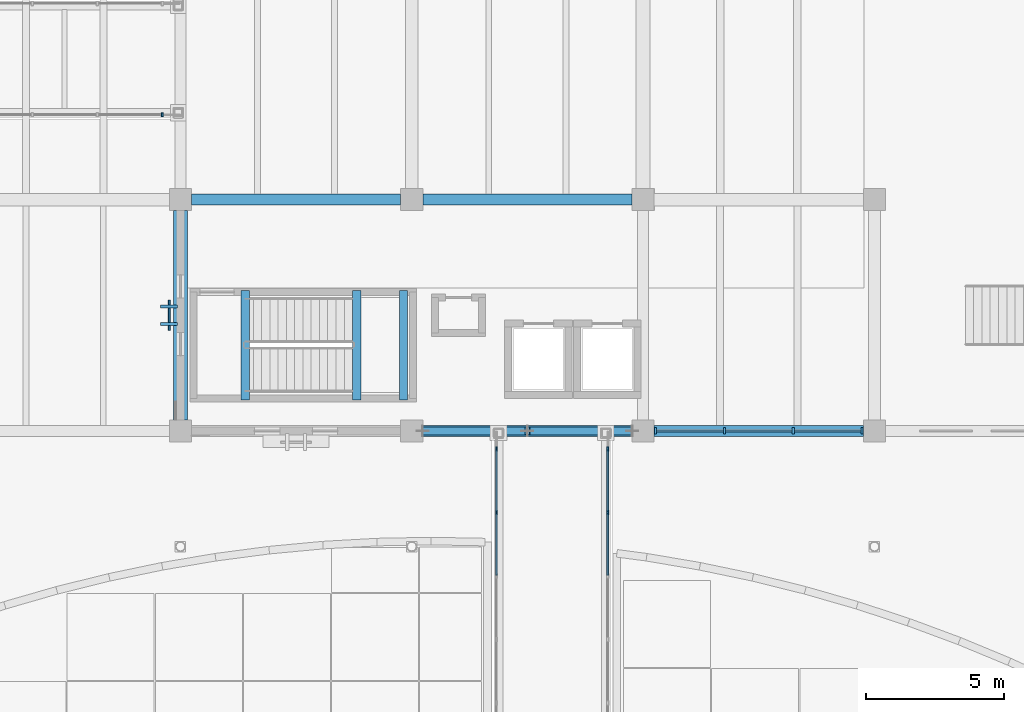
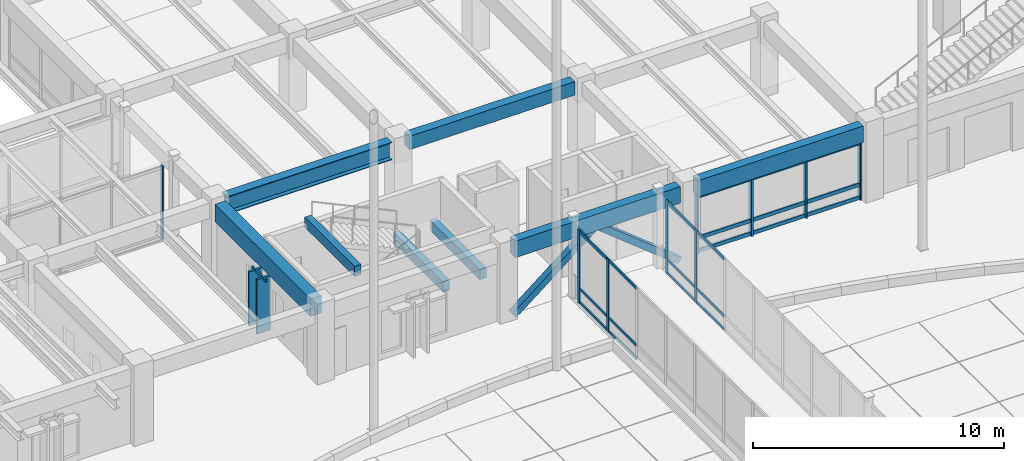
# One storey, part 45 of 135: 35 members, 8 beams, 5 elements without a shape of their own.
"""IFC4 building model written with IfcOpenShell, lengths in metres."""

from ifc_helpers import new_model, si_unit, direction, frame, origin, origin_2d, place, context, subcontext, project, spatial, rectangle, hollow_rectangle, i_section, extrude, material, material_profile, profile_set, type_object, element, aggregate, save


model = new_model("IFC4")

# Units and contexts
model_context = context("Model", 3, precision=1e-05, world=origin(), true_north=direction((0.0, 1.0)))
body_context = subcontext(model_context, "Body", "Model", "MODEL_VIEW")
ifc_project = project(units=[si_unit("LENGTHUNIT", "METRE"), si_unit("AREAUNIT", "SQUARE_METRE"), si_unit("VOLUMEUNIT", "CUBIC_METRE"), si_unit("PLANEANGLEUNIT", "RADIAN"), si_unit("MASSUNIT", "GRAM", prefix="KILO")], contexts=[model_context])

# Site, building, storey
site_placement = place(None, origin())
site = spatial("IfcSite", under=ifc_project, at=site_placement, CompositionType="ELEMENT")
building_placement = place(site_placement, origin())
building = spatial("IfcBuilding", under=site, at=building_placement, Name="Cumbredor Promenade Congress Hotel", CompositionType="ELEMENT")
storey_placement = place(building_placement, origin())
storey = spatial("IfcBuildingStorey", under=building, at=storey_placement, Name="L00", CompositionType="ELEMENT", Elevation=0.0)

# Beams
ifc_material_1 = material(Name="Concrete C40/50", Category="concrete")
ifc_material_profile_1 = material_profile(ifc_material_1, rectangle(XDim=0.39990234375, YDim=0.64990234375, at=origin_2d()), Name="RC BEAM 400x650")
ifc_profile_set_1 = profile_set([ifc_material_profile_1], Name="Concrete C40/50")
beam_type_1 = type_object("IfcBeamType", Name="BM-RC-400x650", PredefinedType="BEAM", material=ifc_profile_set_1)
beam_1_placement = place(storey_placement, frame((101.199951171875, 92.39990234375, 3.31494140625), z_axis=(1.0, 0.0, 0.0), x_axis=(0.0, 1.0, 0.0)))
element("IfcBeam", 1, at=beam_1_placement, inside=storey, type_object=beam_type_1, Name="L01 X-Grid Beam 182", PredefinedType="BEAM", context=body_context, shape_type="SweptSolid", body=[
    extrude(rectangle(XDim=0.39990234375, YDim=0.64990234375, at=origin_2d()), origin(), (0.0, 0.0, 1.0), 7.60009765625),
])
ifc_material_profile_2 = material_profile(ifc_material_1, rectangle(XDim=0.5, YDim=0.85009765625, at=origin_2d()), Name="RC BEAM 500x850")
ifc_profile_set_2 = profile_set([ifc_material_profile_2], Name="Concrete C40/50")
beam_type_2 = type_object("IfcBeamType", Name="BM-RC-500x850", PredefinedType="BEAM", material=ifc_profile_set_2)
beam_2_placement = place(storey_placement, frame((92.39990234375, 84.39990234375, 3.215087890625), z_axis=(0.0, 1.0, 0.0), x_axis=(-1.0, 0.0, 0.0)))
element("IfcBeam", 2, at=beam_2_placement, inside=storey, type_object=beam_type_2, Name="L01 Y-Grid Beam 168", PredefinedType="BEAM", context=body_context, shape_type="SweptSolid", body=[
    extrude(rectangle(XDim=0.5, YDim=0.85009765625, at=origin_2d()), origin(), (0.0, 0.0, 1.0), 7.60009765625),
])
ifc_material_2 = material(Name="Steel ASTM A992 Grade 50", Category="steel")
ifc_material_profile_3 = material_profile(ifc_material_2, i_section(OverallWidth=0.39990234375, OverallDepth=0.85498046875, WebThickness=0.018310546875, FlangeThickness=0.029296875, at=origin_2d()), Name="W33X201")
ifc_profile_set_3 = profile_set([ifc_material_profile_3], Name="Steel ASTM A992 Grade 50")
beam_type_3 = type_object("IfcBeamType", Name="BM-W33X201", PredefinedType="BEAM", material=ifc_profile_set_3)
beam_3_placement = place(storey_placement, frame((92.800048828125, 92.39990234375, 3.21240234375), z_axis=(1.0, 0.0, 0.0), x_axis=(0.0, 1.0, 0.0)))
element("IfcBeam", 3, at=beam_3_placement, inside=storey, type_object=beam_type_3, Name="L01 X-Grid Beam 169", PredefinedType="BEAM", context=body_context, shape_type="SweptSolid", body=[
    extrude(i_section(OverallWidth=0.39990234375, OverallDepth=0.85498046875, WebThickness=0.018310546875, FlangeThickness=0.029296875, at=origin_2d()), origin(), (0.0, 0.0, 1.0), 7.599853515625),
])

# Curtain wall, members
ifc_material_3 = material(Name="Thermally broken anodized aluminium and low-E glass", Category="aluminium")
curtain_wall_type_1 = type_object("IfcCurtainWallType", Name="Unitised Bridge Glazing Screen CW-05", PredefinedType="NOTDEFINED", material=ifc_material_3)
curtain_wall_1_placement = place(storey_placement, origin())
curtain_wall_1 = element("IfcCurtainWall", 4, at=curtain_wall_1_placement, inside=storey, type_object=curtain_wall_type_1, Name="L00 Central Reflecting-Pool Promenade Bridge West Glazing Screen", PredefinedType="NOTDEFINED")
ifc_material_4 = material(Name="Thermally broken anodized aluminium", Category="aluminium")
ifc_material_profile_4 = material_profile(ifc_material_4, rectangle(XDim=0.06494140625, YDim=0.159912109375, at=origin_2d()), Name="ALU MULLION 65x160")
ifc_profile_set_4 = profile_set([ifc_material_profile_4], Name="Thermally broken anodized aluminium")
member_type_1 = type_object("IfcMemberType", Name="Curtain Wall Mullion ML-01", PredefinedType="MULLION", material=ifc_profile_set_4)
member_1_placement = place(storey_placement, frame((103.8798828125, 81.0341796875, -0.008056640625), z_axis=(0.0, 0.0, 1.0), x_axis=(1.0, 0.0, 0.0)))
member_1 = element("IfcMember", 5, at=member_1_placement, type_object=member_type_1, Name="L00 Central Reflecting-Pool Promenade Bridge West Glazing Screen Mullion 14", PredefinedType="MULLION", context=body_context, shape_type="SweptSolid", body=[
    extrude(rectangle(XDim=0.06494140625, YDim=0.159912109375, at=origin_2d()), origin(), (0.0, 0.0, 1.0), 3.55615234375),
])
member_2_placement = place(storey_placement, frame((103.8798828125, 83.340087890625, -0.008056640625), z_axis=(0.0, 0.0, 1.0), x_axis=(1.0, 0.0, 0.0)))
member_2 = element("IfcMember", 6, at=member_2_placement, type_object=member_type_1, Name="L00 Central Reflecting-Pool Promenade Bridge West Glazing Screen Mullion 15", PredefinedType="MULLION", context=body_context, shape_type="SweptSolid", body=[
    extrude(rectangle(XDim=0.06494140625, YDim=0.159912109375, at=origin_2d()), origin(), (0.0, 0.0, 1.0), 3.55615234375),
])

curtain_wall_2_placement = place(storey_placement, origin())
curtain_wall_2 = element("IfcCurtainWall", 7, at=curtain_wall_2_placement, inside=storey, type_object=curtain_wall_type_1, Name="L00 Central Reflecting-Pool Promenade Bridge East Glazing Screen", PredefinedType="NOTDEFINED")
member_3_placement = place(storey_placement, frame((107.919921875, 81.0341796875, -0.008056640625), z_axis=(0.0, 0.0, 1.0), x_axis=(1.0, 0.0, 0.0)))
member_3 = element("IfcMember", 8, at=member_3_placement, type_object=member_type_1, Name="L00 Central Reflecting-Pool Promenade Bridge East Glazing Screen Mullion 14", PredefinedType="MULLION", context=body_context, shape_type="SweptSolid", body=[
    extrude(rectangle(XDim=0.06494140625, YDim=0.159912109375, at=origin_2d()), origin(), (0.0, 0.0, 1.0), 3.55615234375),
])
member_4_placement = place(storey_placement, frame((107.919921875, 83.340087890625, -0.008056640625), z_axis=(0.0, 0.0, 1.0), x_axis=(1.0, 0.0, 0.0)))
member_4 = element("IfcMember", 9, at=member_4_placement, type_object=member_type_1, Name="L00 Central Reflecting-Pool Promenade Bridge East Glazing Screen Mullion 15", PredefinedType="MULLION", context=body_context, shape_type="SweptSolid", body=[
    extrude(rectangle(XDim=0.06494140625, YDim=0.159912109375, at=origin_2d()), origin(), (0.0, 0.0, 1.0), 3.55615234375),
])

# Curtain wall, member
curtain_wall_3_placement = place(storey_placement, origin())
curtain_wall_3 = element("IfcCurtainWall", 10, at=curtain_wall_3_placement, inside=storey, type_object=curtain_wall_type_1, Name="L00 North Hotel-to-Forum Glazed Bridge South Glazing Screen", PredefinedType="NOTDEFINED")
member_5_placement = place(storey_placement, frame((91.739990234375, 95.47998046875, -0.008056640625), z_axis=(0.0, 0.0, 1.0), x_axis=(1.0, 0.0, 0.0)))
member_5 = element("IfcMember", 11, at=member_5_placement, type_object=member_type_1, Name="L00 North Hotel-to-Forum Glazed Bridge South Glazing Screen Mullion 4", PredefinedType="MULLION", context=body_context, shape_type="SweptSolid", body=[
    extrude(rectangle(XDim=0.06494140625, YDim=0.159912109375, at=origin_2d()), origin(), (0.0, 0.0, 1.0), 3.55615234375),
])
aggregate(curtain_wall_3, [member_5])

# Curtain wall, members
curtain_wall_type_2 = type_object("IfcCurtainWallType", Name="Unitised Grand Foyer Curtain Wall CW-04", PredefinedType="NOTDEFINED", material=ifc_material_3)
curtain_wall_4_placement = place(storey_placement, origin())
curtain_wall_4 = element("IfcCurtainWall", 12, at=curtain_wall_4_placement, inside=storey, type_object=curtain_wall_type_2, Name="L00 Pre-Function and Breakout Meeting Forum South Curtain Wall 3", PredefinedType="NOTDEFINED")
ifc_material_profile_5 = material_profile(ifc_material_4, rectangle(XDim=0.080078125, YDim=0.239990234375, at=origin_2d()), Name="ALU MULLION 80x240")
ifc_profile_set_5 = profile_set([ifc_material_profile_5], Name="Thermally broken anodized aluminium")
member_type_2 = type_object("IfcMemberType", Name="Curtain Wall Mullion ML-03", PredefinedType="MULLION", material=ifc_profile_set_5)
member_6_placement = place(storey_placement, frame((109.655029296875, 84.0, -0.008056640625), z_axis=(0.0, 0.0, 1.0), x_axis=(1.0, 0.0, 0.0)))
member_6 = element("IfcMember", 13, at=member_6_placement, type_object=member_type_2, Name="L00 Pre-Function and Breakout Meeting Forum South Curtain Wall 3 Mullion 1", PredefinedType="MULLION", context=body_context, shape_type="SweptSolid", body=[
    extrude(rectangle(XDim=0.080078125, YDim=0.239990234375, at=origin_2d()), origin(), (0.0, 0.0, 1.0), 2.841064453125),
])
member_7_placement = place(storey_placement, frame((112.151611328125, 84.0, -0.008056640625), z_axis=(0.0, 0.0, 1.0), x_axis=(1.0, 0.0, 0.0)))
member_7 = element("IfcMember", 14, at=member_7_placement, type_object=member_type_2, Name="L00 Pre-Function and Breakout Meeting Forum South Curtain Wall 3 Mullion 2", PredefinedType="MULLION", context=body_context, shape_type="SweptSolid", body=[
    extrude(rectangle(XDim=0.080078125, YDim=0.239990234375, at=origin_2d()), origin(), (0.0, 0.0, 1.0), 2.841064453125),
])
member_8_placement = place(storey_placement, frame((114.648193359375, 84.0, -0.008056640625), z_axis=(0.0, 0.0, 1.0), x_axis=(1.0, 0.0, 0.0)))
member_8 = element("IfcMember", 15, at=member_8_placement, type_object=member_type_2, Name="L00 Pre-Function and Breakout Meeting Forum South Curtain Wall 3 Mullion 3", PredefinedType="MULLION", context=body_context, shape_type="SweptSolid", body=[
    extrude(rectangle(XDim=0.080078125, YDim=0.239990234375, at=origin_2d()), origin(), (0.0, 0.0, 1.0), 2.841064453125),
])
member_9_placement = place(storey_placement, frame((117.14501953125, 84.0, -0.008056640625), z_axis=(0.0, 0.0, 1.0), x_axis=(1.0, 0.0, 0.0)))
member_9 = element("IfcMember", 16, at=member_9_placement, type_object=member_type_2, Name="L00 Pre-Function and Breakout Meeting Forum South Curtain Wall 3 Mullion 4", PredefinedType="MULLION", context=body_context, shape_type="SweptSolid", body=[
    extrude(rectangle(XDim=0.080078125, YDim=0.239990234375, at=origin_2d()), origin(), (0.0, 0.0, 1.0), 2.841064453125),
])

# Curtain wall, member
curtain_wall_type_3 = type_object("IfcCurtainWallType", Name="Solar Brise-Soleil Screen Assembly CW-07", PredefinedType="NOTDEFINED", material=ifc_material_3)
curtain_wall_5_placement = place(storey_placement, origin())
curtain_wall_5 = element("IfcCurtainWall", 17, at=curtain_wall_5_placement, inside=storey, type_object=curtain_wall_type_3, Name="L00 Pier Brise-Soleil Screen 0079", PredefinedType="NOTDEFINED")
ifc_material_profile_6 = material_profile(ifc_material_4, rectangle(XDim=0.06494140625, YDim=0.1298828125, at=origin_2d()), Name="ALU TRANSOM 65x130")
ifc_profile_set_6 = profile_set([ifc_material_profile_6], Name="Thermally broken anodized aluminium")
member_type_3 = type_object("IfcMemberType", Name="Curtain Wall Transom TR-01", PredefinedType="USERDEFINED", material=ifc_profile_set_6)
member_10_placement = place(storey_placement, frame((91.989990234375, 87.64990234375, 2.614990234375), z_axis=(0.0, 1.0, 0.0), x_axis=(-1.0, 0.0, 0.0)))
member_10 = element("IfcMember", 18, at=member_10_placement, type_object=member_type_3, Name="L00 Pier Brise-Soleil Header 0081", ObjectType="TRANSOM", PredefinedType="USERDEFINED", context=body_context, shape_type="SweptSolid", body=[
    extrude(rectangle(XDim=0.06494140625, YDim=0.1298828125, at=origin_2d()), origin(), (0.0, 0.0, 1.0), 1.10009765625),
])

# Member
member_11_placement = place(storey_placement, frame((103.8798828125, 78.760986328125, 0.070068359375), z_axis=(0.0, 1.0, 0.0), x_axis=(-1.0, 0.0, 0.0)))
member_11 = element("IfcMember", 19, at=member_11_placement, type_object=member_type_3, Name="L00 Central Reflecting-Pool Promenade Bridge West Glazing Screen Transom 13.1", ObjectType="TRANSOM", PredefinedType="USERDEFINED", context=body_context, shape_type="SweptSolid", body=[
    extrude(rectangle(XDim=0.06494140625, YDim=0.1298828125, at=origin_2d()), origin(), (0.0, 0.0, 1.0), 2.24072265625),
])

member_12_placement = place(storey_placement, frame((103.8798828125, 78.760986328125, 0.719970703125), z_axis=(0.0, 1.0, 0.0), x_axis=(-1.0, 0.0, 0.0)))
member_12 = element("IfcMember", 20, at=member_12_placement, type_object=member_type_3, Name="L00 Central Reflecting-Pool Promenade Bridge West Glazing Screen Transom 13.2", ObjectType="TRANSOM", PredefinedType="USERDEFINED", context=body_context, shape_type="SweptSolid", body=[
    extrude(rectangle(XDim=0.06494140625, YDim=0.1298828125, at=origin_2d()), origin(), (0.0, 0.0, 1.0), 2.24072265625),
])

member_13_placement = place(storey_placement, frame((103.8798828125, 78.760986328125, 3.47998046875), z_axis=(0.0, 1.0, 0.0), x_axis=(-1.0, 0.0, 0.0)))
member_13 = element("IfcMember", 21, at=member_13_placement, type_object=member_type_3, Name="L00 Central Reflecting-Pool Promenade Bridge West Glazing Screen Transom 13.3", ObjectType="TRANSOM", PredefinedType="USERDEFINED", context=body_context, shape_type="SweptSolid", body=[
    extrude(rectangle(XDim=0.06494140625, YDim=0.1298828125, at=origin_2d()), origin(), (0.0, 0.0, 1.0), 2.24072265625),
])

member_14_placement = place(storey_placement, frame((103.8798828125, 81.06689453125, 0.070068359375), z_axis=(0.0, 1.0, 0.0), x_axis=(-1.0, 0.0, 0.0)))
member_14 = element("IfcMember", 22, at=member_14_placement, type_object=member_type_3, Name="L00 Central Reflecting-Pool Promenade Bridge West Glazing Screen Transom 14.1", ObjectType="TRANSOM", PredefinedType="USERDEFINED", context=body_context, shape_type="SweptSolid", body=[
    extrude(rectangle(XDim=0.06494140625, YDim=0.1298828125, at=origin_2d()), origin(), (0.0, 0.0, 1.0), 2.24072265625),
])

member_15_placement = place(storey_placement, frame((103.8798828125, 81.06689453125, 0.719970703125), z_axis=(0.0, 1.0, 0.0), x_axis=(-1.0, 0.0, 0.0)))
member_15 = element("IfcMember", 23, at=member_15_placement, type_object=member_type_3, Name="L00 Central Reflecting-Pool Promenade Bridge West Glazing Screen Transom 14.2", ObjectType="TRANSOM", PredefinedType="USERDEFINED", context=body_context, shape_type="SweptSolid", body=[
    extrude(rectangle(XDim=0.06494140625, YDim=0.1298828125, at=origin_2d()), origin(), (0.0, 0.0, 1.0), 2.24072265625),
])

member_16_placement = place(storey_placement, frame((103.8798828125, 81.06689453125, 3.47998046875), z_axis=(0.0, 1.0, 0.0), x_axis=(-1.0, 0.0, 0.0)))
member_16 = element("IfcMember", 24, at=member_16_placement, type_object=member_type_3, Name="L00 Central Reflecting-Pool Promenade Bridge West Glazing Screen Transom 14.3", ObjectType="TRANSOM", PredefinedType="USERDEFINED", context=body_context, shape_type="SweptSolid", body=[
    extrude(rectangle(XDim=0.06494140625, YDim=0.1298828125, at=origin_2d()), origin(), (0.0, 0.0, 1.0), 2.24072265625),
])

aggregate(curtain_wall_1, [member_1, member_2, member_11, member_12, member_13, member_14, member_15, member_16])

member_17_placement = place(storey_placement, frame((107.919921875, 78.760986328125, 0.070068359375), z_axis=(0.0, 1.0, 0.0), x_axis=(-1.0, 0.0, 0.0)))
member_17 = element("IfcMember", 25, at=member_17_placement, type_object=member_type_3, Name="L00 Central Reflecting-Pool Promenade Bridge East Glazing Screen Transom 13.1", ObjectType="TRANSOM", PredefinedType="USERDEFINED", context=body_context, shape_type="SweptSolid", body=[
    extrude(rectangle(XDim=0.06494140625, YDim=0.1298828125, at=origin_2d()), origin(), (0.0, 0.0, 1.0), 2.24072265625),
])

member_18_placement = place(storey_placement, frame((107.919921875, 78.760986328125, 0.719970703125), z_axis=(0.0, 1.0, 0.0), x_axis=(-1.0, 0.0, 0.0)))
member_18 = element("IfcMember", 26, at=member_18_placement, type_object=member_type_3, Name="L00 Central Reflecting-Pool Promenade Bridge East Glazing Screen Transom 13.2", ObjectType="TRANSOM", PredefinedType="USERDEFINED", context=body_context, shape_type="SweptSolid", body=[
    extrude(rectangle(XDim=0.06494140625, YDim=0.1298828125, at=origin_2d()), origin(), (0.0, 0.0, 1.0), 2.24072265625),
])

member_19_placement = place(storey_placement, frame((107.919921875, 78.760986328125, 3.47998046875), z_axis=(0.0, 1.0, 0.0), x_axis=(-1.0, 0.0, 0.0)))
member_19 = element("IfcMember", 27, at=member_19_placement, type_object=member_type_3, Name="L00 Central Reflecting-Pool Promenade Bridge East Glazing Screen Transom 13.3", ObjectType="TRANSOM", PredefinedType="USERDEFINED", context=body_context, shape_type="SweptSolid", body=[
    extrude(rectangle(XDim=0.06494140625, YDim=0.1298828125, at=origin_2d()), origin(), (0.0, 0.0, 1.0), 2.24072265625),
])

member_20_placement = place(storey_placement, frame((107.919921875, 81.06689453125, 0.070068359375), z_axis=(0.0, 1.0, 0.0), x_axis=(-1.0, 0.0, 0.0)))
member_20 = element("IfcMember", 28, at=member_20_placement, type_object=member_type_3, Name="L00 Central Reflecting-Pool Promenade Bridge East Glazing Screen Transom 14.1", ObjectType="TRANSOM", PredefinedType="USERDEFINED", context=body_context, shape_type="SweptSolid", body=[
    extrude(rectangle(XDim=0.06494140625, YDim=0.1298828125, at=origin_2d()), origin(), (0.0, 0.0, 1.0), 2.24072265625),
])

member_21_placement = place(storey_placement, frame((107.919921875, 81.06689453125, 0.719970703125), z_axis=(0.0, 1.0, 0.0), x_axis=(-1.0, 0.0, 0.0)))
member_21 = element("IfcMember", 29, at=member_21_placement, type_object=member_type_3, Name="L00 Central Reflecting-Pool Promenade Bridge East Glazing Screen Transom 14.2", ObjectType="TRANSOM", PredefinedType="USERDEFINED", context=body_context, shape_type="SweptSolid", body=[
    extrude(rectangle(XDim=0.06494140625, YDim=0.1298828125, at=origin_2d()), origin(), (0.0, 0.0, 1.0), 2.24072265625),
])

member_22_placement = place(storey_placement, frame((107.919921875, 81.06689453125, 3.47998046875), z_axis=(0.0, 1.0, 0.0), x_axis=(-1.0, 0.0, 0.0)))
member_22 = element("IfcMember", 30, at=member_22_placement, type_object=member_type_3, Name="L00 Central Reflecting-Pool Promenade Bridge East Glazing Screen Transom 14.3", ObjectType="TRANSOM", PredefinedType="USERDEFINED", context=body_context, shape_type="SweptSolid", body=[
    extrude(rectangle(XDim=0.06494140625, YDim=0.1298828125, at=origin_2d()), origin(), (0.0, 0.0, 1.0), 2.24072265625),
])

aggregate(curtain_wall_2, [member_3, member_4, member_17, member_18, member_19, member_20, member_21, member_22])

ifc_material_profile_7 = material_profile(ifc_material_4, rectangle(XDim=0.080078125, YDim=0.179931640625, at=origin_2d()), Name="ALU TRANSOM 80x180")
ifc_profile_set_7 = profile_set([ifc_material_profile_7], Name="Thermally broken anodized aluminium")
member_type_4 = type_object("IfcMemberType", Name="Curtain Wall Transom TR-03", PredefinedType="USERDEFINED", material=ifc_profile_set_7)
member_23_placement = place(storey_placement, frame((109.695068359375, 84.0, 0.090087890625), z_axis=(1.0, 0.0, 0.0), x_axis=(0.0, 1.0, 0.0)))
member_23 = element("IfcMember", 31, at=member_23_placement, type_object=member_type_4, Name="L00 Pre-Function and Breakout Meeting Forum South Curtain Wall 3 Transom 1.1", ObjectType="TRANSOM", PredefinedType="USERDEFINED", context=body_context, shape_type="SweptSolid", body=[
    extrude(rectangle(XDim=0.080078125, YDim=0.179931640625, at=origin_2d()), origin(), (0.0, 0.0, 1.0), 2.416748046875),
])

member_24_placement = place(storey_placement, frame((109.695068359375, 84.0, 0.719970703125), z_axis=(1.0, 0.0, 0.0), x_axis=(0.0, 1.0, 0.0)))
member_24 = element("IfcMember", 32, at=member_24_placement, type_object=member_type_4, Name="L00 Pre-Function and Breakout Meeting Forum South Curtain Wall 3 Transom 1.2", ObjectType="TRANSOM", PredefinedType="USERDEFINED", context=body_context, shape_type="SweptSolid", body=[
    extrude(rectangle(XDim=0.080078125, YDim=0.179931640625, at=origin_2d()), origin(), (0.0, 0.0, 1.0), 2.416748046875),
])

member_25_placement = place(storey_placement, frame((109.695068359375, 84.0, 2.739990234375), z_axis=(1.0, 0.0, 0.0), x_axis=(0.0, 1.0, 0.0)))
member_25 = element("IfcMember", 33, at=member_25_placement, type_object=member_type_4, Name="L00 Pre-Function and Breakout Meeting Forum South Curtain Wall 3 Transom 1.3", ObjectType="TRANSOM", PredefinedType="USERDEFINED", context=body_context, shape_type="SweptSolid", body=[
    extrude(rectangle(XDim=0.080078125, YDim=0.179931640625, at=origin_2d()), origin(), (0.0, 0.0, 1.0), 2.416748046875),
])

member_26_placement = place(storey_placement, frame((112.191650390625, 84.0, 0.090087890625), z_axis=(1.0, 0.0, 0.0), x_axis=(0.0, 1.0, 0.0)))
member_26 = element("IfcMember", 34, at=member_26_placement, type_object=member_type_4, Name="L00 Pre-Function and Breakout Meeting Forum South Curtain Wall 3 Transom 2.1", ObjectType="TRANSOM", PredefinedType="USERDEFINED", context=body_context, shape_type="SweptSolid", body=[
    extrude(rectangle(XDim=0.080078125, YDim=0.179931640625, at=origin_2d()), origin(), (0.0, 0.0, 1.0), 2.416748046875),
])

member_27_placement = place(storey_placement, frame((112.191650390625, 84.0, 0.719970703125), z_axis=(1.0, 0.0, 0.0), x_axis=(0.0, 1.0, 0.0)))
member_27 = element("IfcMember", 35, at=member_27_placement, type_object=member_type_4, Name="L00 Pre-Function and Breakout Meeting Forum South Curtain Wall 3 Transom 2.2", ObjectType="TRANSOM", PredefinedType="USERDEFINED", context=body_context, shape_type="SweptSolid", body=[
    extrude(rectangle(XDim=0.080078125, YDim=0.179931640625, at=origin_2d()), origin(), (0.0, 0.0, 1.0), 2.416748046875),
])

member_28_placement = place(storey_placement, frame((112.191650390625, 84.0, 2.739990234375), z_axis=(1.0, 0.0, 0.0), x_axis=(0.0, 1.0, 0.0)))
member_28 = element("IfcMember", 36, at=member_28_placement, type_object=member_type_4, Name="L00 Pre-Function and Breakout Meeting Forum South Curtain Wall 3 Transom 2.3", ObjectType="TRANSOM", PredefinedType="USERDEFINED", context=body_context, shape_type="SweptSolid", body=[
    extrude(rectangle(XDim=0.080078125, YDim=0.179931640625, at=origin_2d()), origin(), (0.0, 0.0, 1.0), 2.416748046875),
])

member_29_placement = place(storey_placement, frame((114.688232421875, 84.0, 0.090087890625), z_axis=(1.0, 0.0, 0.0), x_axis=(0.0, 1.0, 0.0)))
member_29 = element("IfcMember", 37, at=member_29_placement, type_object=member_type_4, Name="L00 Pre-Function and Breakout Meeting Forum South Curtain Wall 3 Transom 3.1", ObjectType="TRANSOM", PredefinedType="USERDEFINED", context=body_context, shape_type="SweptSolid", body=[
    extrude(rectangle(XDim=0.080078125, YDim=0.179931640625, at=origin_2d()), origin(), (0.0, 0.0, 1.0), 2.416748046875),
])

member_30_placement = place(storey_placement, frame((114.688232421875, 84.0, 0.719970703125), z_axis=(1.0, 0.0, 0.0), x_axis=(0.0, 1.0, 0.0)))
member_30 = element("IfcMember", 38, at=member_30_placement, type_object=member_type_4, Name="L00 Pre-Function and Breakout Meeting Forum South Curtain Wall 3 Transom 3.2", ObjectType="TRANSOM", PredefinedType="USERDEFINED", context=body_context, shape_type="SweptSolid", body=[
    extrude(rectangle(XDim=0.080078125, YDim=0.179931640625, at=origin_2d()), origin(), (0.0, 0.0, 1.0), 2.416748046875),
])

member_31_placement = place(storey_placement, frame((114.688232421875, 84.0, 2.739990234375), z_axis=(1.0, 0.0, 0.0), x_axis=(0.0, 1.0, 0.0)))
member_31 = element("IfcMember", 39, at=member_31_placement, type_object=member_type_4, Name="L00 Pre-Function and Breakout Meeting Forum South Curtain Wall 3 Transom 3.3", ObjectType="TRANSOM", PredefinedType="USERDEFINED", context=body_context, shape_type="SweptSolid", body=[
    extrude(rectangle(XDim=0.080078125, YDim=0.179931640625, at=origin_2d()), origin(), (0.0, 0.0, 1.0), 2.416748046875),
])

aggregate(curtain_wall_4, [member_6, member_7, member_8, member_9, member_23, member_24, member_25, member_26, member_27, member_28, member_29, member_30, member_31])

# Beams
ifc_material_profile_8 = material_profile(ifc_material_1, rectangle(XDim=0.300048828125, YDim=0.5, at=origin_2d()), Name="RC LINTEL 300x500")
ifc_profile_set_8 = profile_set([ifc_material_profile_8], Name="Concrete C40/50")
beam_type_4 = type_object("IfcBeamType", Name="LN-RC-300x500", PredefinedType="LINTEL", material=ifc_profile_set_8)
for number, where, z_axis, x_axis, name in (
    (40, (100.5, 85.1298828125, 1.510009765625), (0.0, 1.0, 0.0), (-1.0, 0.0, 0.0), "L00 Stair ST-13 Landing Ledger Beam E"),
    (41, (98.800048828125, 85.1298828125, 1.510009765625), (0.0, 1.0, 0.0), (-1.0, 0.0, 0.0), "L00 Stair ST-13 Landing Ledger Beam W"),
    (42, (94.75, 85.1298828125, 3.669921875), (0.0, 1.0, 0.0), (-1.0, 0.0, 0.0), "L01 Stair ST-13 Well Header Trimmer Beam"),
):
    element("IfcBeam", number, at=place(storey_placement, frame(where, z_axis=z_axis, x_axis=x_axis)), inside=storey, type_object=beam_type_4, Name=name, PredefinedType="LINTEL", context=body_context, shape_type="SweptSolid", body=[
        extrude(rectangle(XDim=0.300048828125, YDim=0.5, at=origin_2d()), origin(), (0.0, 0.0, 1.0), 3.97021484375),
    ])
ifc_material_profile_9 = material_profile(ifc_material_1, rectangle(XDim=0.39990234375, YDim=0.800048828125, at=origin_2d()), Name="RC SPANDREL 400x800")
ifc_profile_set_9 = profile_set([ifc_material_profile_9], Name="Concrete C40/50")
beam_type_5 = type_object("IfcBeamType", Name="SP-RC-400x800", PredefinedType="SPANDREL", material=ifc_profile_set_9)
beam_4_placement = place(storey_placement, frame((101.199951171875, 84.0, 3.239990234375), z_axis=(1.0, 0.0, 0.0), x_axis=(0.0, 1.0, 0.0)))
element("IfcBeam", 43, at=beam_4_placement, inside=storey, type_object=beam_type_5, Name="L01 X-Grid Beam 181", PredefinedType="SPANDREL", context=body_context, shape_type="SweptSolid", body=[
    extrude(rectangle(XDim=0.39990234375, YDim=0.800048828125, at=origin_2d()), origin(), (0.0, 0.0, 1.0), 7.60009765625),
])
beam_5_placement = place(storey_placement, frame((109.60009765625, 84.0, 3.239990234375), z_axis=(1.0, 0.0, 0.0), x_axis=(0.0, 1.0, 0.0)))
element("IfcBeam", 44, at=beam_5_placement, inside=storey, type_object=beam_type_5, Name="L01 X-Grid Beam 193", PredefinedType="SPANDREL", context=body_context, shape_type="SweptSolid", body=[
    extrude(rectangle(XDim=0.39990234375, YDim=0.800048828125, at=origin_2d()), origin(), (0.0, 0.0, 1.0), 7.599853515625),
])

# Members
ifc_material_5 = material(Name="Steel ASTM A500 Grade C", Category="steel")
ifc_material_profile_10 = material_profile(ifc_material_5, hollow_rectangle(XDim=0.300048828125, YDim=0.300048828125, WallThickness=0.01611328125, at=origin_2d()), Name="HSS 300x300x16")
ifc_profile_set_10 = profile_set([ifc_material_profile_10], Name="Steel ASTM A500 Grade C")
member_type_5 = type_object("IfcMemberType", Name="Seismic Frame Brace CBF-1", PredefinedType="BRACE", material=ifc_profile_set_10)
for number, where, z_axis, x_axis, name in (
    (45, (101.199951171875, 84.0, 0.0), (0.781872454234, 0.0, 0.623438421426), (0.0, 1.0, 0.0), "L00 Chevron Seismic Brace 12A"),
    (46, (108.800048828125, 84.0, 0.0), (-0.781872454234, 0.0, 0.623438421426), (0.0, -1.0, 0.0), "L00 Chevron Seismic Brace 12B"),
):
    element("IfcMember", number, at=place(storey_placement, frame(where, z_axis=z_axis, x_axis=x_axis)), inside=storey, type_object=member_type_5, Name=name, PredefinedType="BRACE", context=body_context, shape_type="SweptSolid", body=[
        extrude(hollow_rectangle(XDim=0.300048828125, YDim=0.300048828125, WallThickness=0.01611328125, at=origin_2d()), origin(), (0.0, 0.0, 1.0), 4.860107421875),
    ])

# Member
ifc_material_profile_11 = material_profile(ifc_material_4, rectangle(XDim=0.110107421875, YDim=0.6201171875, at=origin_2d()), Name="ARCH FIN 110x620")
ifc_profile_set_11 = profile_set([ifc_material_profile_11], Name="Thermally broken anodized aluminium")
member_type_6 = type_object("IfcMemberType", Name="Vertical Bronze Brise-Soleil Fin BSF-02 110x620", PredefinedType="USERDEFINED", material=ifc_profile_set_11)
member_32_placement = place(storey_placement, frame((91.989990234375, 87.8798828125, 0.02001953125), z_axis=(0.0, 0.0, 1.0), x_axis=(0.0, 1.0, 0.0)))
member_32 = element("IfcMember", 47, at=member_32_placement, type_object=member_type_6, Name="L00 Pier Brise-Soleil Fin 0080", ObjectType="SOLAR FIN", PredefinedType="USERDEFINED", context=body_context, shape_type="SweptSolid", body=[
    extrude(rectangle(XDim=0.110107421875, YDim=0.6201171875, at=origin_2d()), origin(), (0.0, 0.0, 1.0), 2.635009765625),
])

member_33_placement = place(storey_placement, frame((91.989990234375, 88.52001953125, 0.02001953125), z_axis=(0.0, 0.0, 1.0), x_axis=(0.0, 1.0, 0.0)))
member_33 = element("IfcMember", 48, at=member_33_placement, type_object=member_type_6, Name="L00 Pier Brise-Soleil Fin 0081", ObjectType="SOLAR FIN", PredefinedType="USERDEFINED", context=body_context, shape_type="SweptSolid", body=[
    extrude(rectangle(XDim=0.110107421875, YDim=0.6201171875, at=origin_2d()), origin(), (0.0, 0.0, 1.0), 2.635009765625),
])

aggregate(curtain_wall_5, [member_32, member_33, member_10])

save(model, "model.ifc")
